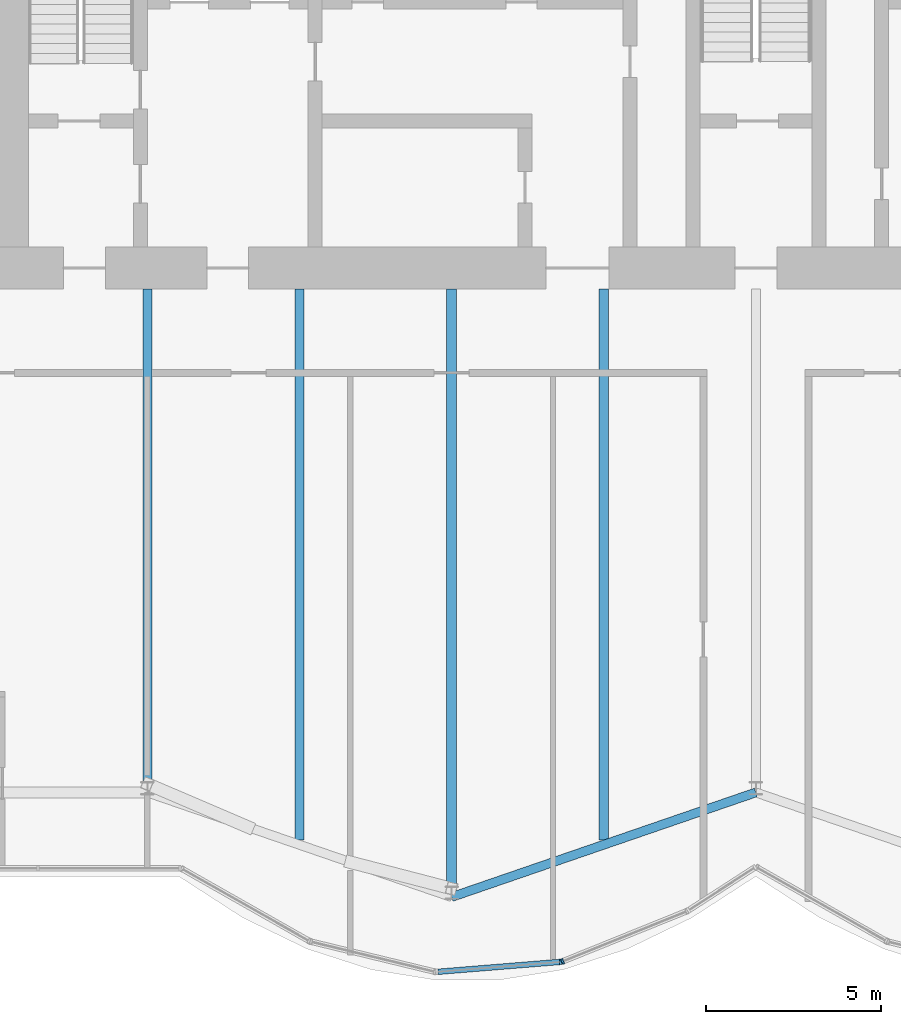
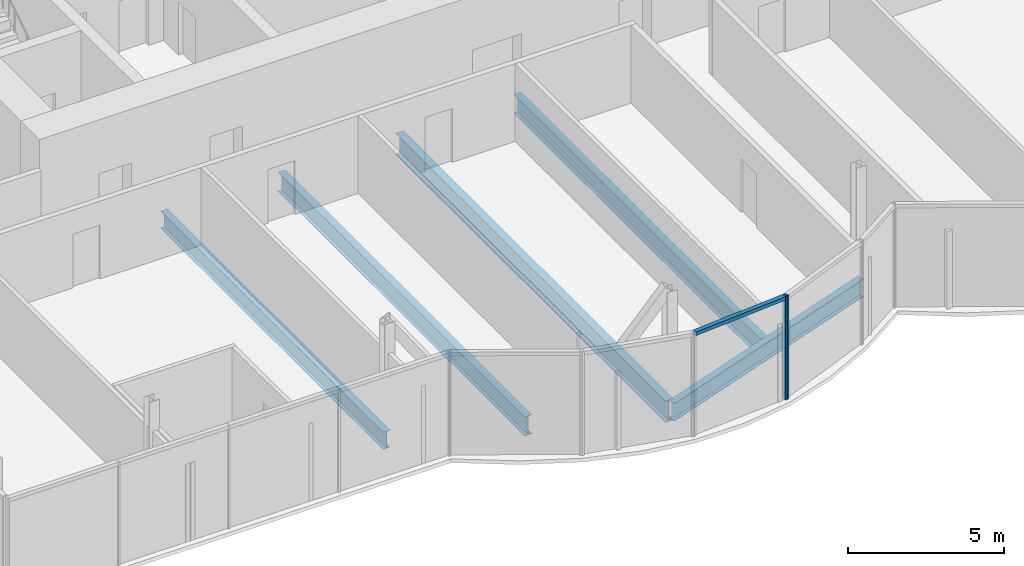
# One storey, part 6 of 20: 5 beams, 3 members, 1 element without a shape of its own.
"""IFC4 building model written with IfcOpenShell, lengths in metres."""

from ifc_helpers import new_model, si_unit, direction, frame, origin, origin_2d, place, context, subcontext, project, spatial, rectangle, i_section, extrude, material, material_profile, profile_set, type_object, element, aggregate, save


model = new_model("IFC4")

# Units and contexts
model_context = context("Model", 3, precision=1e-05, world=origin(), true_north=direction((0.0, 1.0)))
body_context = subcontext(model_context, "Body", "Model", "MODEL_VIEW")
ifc_project = project(units=[si_unit("LENGTHUNIT", "METRE"), si_unit("AREAUNIT", "SQUARE_METRE"), si_unit("VOLUMEUNIT", "CUBIC_METRE"), si_unit("PLANEANGLEUNIT", "RADIAN"), si_unit("MASSUNIT", "GRAM", prefix="KILO")], contexts=[model_context])

# Site, building, storey
site_placement = place(None, origin())
site = spatial("IfcSite", under=ifc_project, at=site_placement, CompositionType="ELEMENT")
building_placement = place(site_placement, origin())
building = spatial("IfcBuilding", under=site, at=building_placement, Name="Bicima Exchange Tower", CompositionType="ELEMENT")
storey_placement = place(building_placement, frame((0.0, 0.0, 249.800048828125)))
storey = spatial("IfcBuildingStorey", under=building, at=storey_placement, Name="L56", CompositionType="ELEMENT", Elevation=249.800048828125)

# Beams
ifc_material_1 = material(Name="Steel ASTM A992 Gr 50", Category="steel")
ifc_material_profile_1 = material_profile(ifc_material_1, i_section(OverallWidth=0.25390625, OverallDepth=0.67822265625, WebThickness=0.01171875, FlangeThickness=0.016357421875, at=origin_2d()))
ifc_profile_set_1 = profile_set([ifc_material_profile_1], Name="Steel ASTM A992 Gr 50")
beam_type_1 = type_object("IfcBeamType", Name="Floor beam W27x84", PredefinedType="JOIST", material=ifc_profile_set_1)
beam_1_placement = place(storey_placement, frame((-17.39990234375, -13.0, -0.4892578125), z_axis=(0.0, -1.0, 0.0), x_axis=(1.0, 0.0, 0.0)))
element("IfcBeam", 1, at=beam_1_placement, inside=storey, type_object=beam_type_1, Name="Floor beam", PredefinedType="JOIST", context=body_context, shape_type="SweptSolid", body=[
    extrude(i_section(OverallWidth=0.25390625, OverallDepth=0.67822265625, WebThickness=0.01171875, FlangeThickness=0.016357421875, at=origin_2d()), origin(), (0.0, 0.0, 1.0), 14.2373046875),
])
ifc_material_profile_2 = material_profile(ifc_material_1, i_section(OverallWidth=0.2666015625, OverallDepth=0.75439453125, WebThickness=0.01318359375, FlangeThickness=0.01708984375, at=origin_2d()))
ifc_profile_set_2 = profile_set([ifc_material_profile_2], Name="Steel ASTM A992 Gr 50")
beam_type_2 = type_object("IfcBeamType", Name="Floor beam W30x99", PredefinedType="JOIST", material=ifc_profile_set_2)
for number, where, z_axis, x_axis, name in (
    (2, (-13.050048828125, -13.0, -0.52734375), (0.0, -1.0, 0.0), (1.0, 0.0, 0.0), "Floor beam"),
    (3, (-4.35009765625, -13.0, -0.52734375), (0.0, -1.0, 0.0), (1.0, 0.0, 0.0), "Floor beam"),
):
    element("IfcBeam", number, at=place(storey_placement, frame(where, z_axis=z_axis, x_axis=x_axis)), inside=storey, type_object=beam_type_2, Name=name, PredefinedType="JOIST", context=body_context, shape_type="SweptSolid", body=[
        extrude(i_section(OverallWidth=0.2666015625, OverallDepth=0.75439453125, WebThickness=0.01318359375, FlangeThickness=0.01708984375, at=origin_2d()), origin(), (0.0, 0.0, 1.0), 15.760009765625),
    ])
ifc_material_profile_3 = material_profile(ifc_material_1, i_section(OverallWidth=0.2919921875, OverallDepth=0.835693359375, WebThickness=0.013916015625, FlangeThickness=0.018798828125, at=origin_2d()))
ifc_profile_set_3 = profile_set([ifc_material_profile_3], Name="Steel ASTM A992 Gr 50")
beam_type_3 = type_object("IfcBeamType", Name="Floor beam W33x118", PredefinedType="JOIST", material=ifc_profile_set_3)
beam_2_placement = place(storey_placement, frame((-8.699951171875, -13.0, -0.56787109375), z_axis=(0.0, -1.0, 0.0), x_axis=(1.0, 0.0, 0.0)))
element("IfcBeam", 4, at=beam_2_placement, inside=storey, type_object=beam_type_3, Name="Floor beam", PredefinedType="JOIST", context=body_context, shape_type="SweptSolid", body=[
    extrude(i_section(OverallWidth=0.2919921875, OverallDepth=0.835693359375, WebThickness=0.013916015625, FlangeThickness=0.018798828125, at=origin_2d()), origin(), (0.0, 0.0, 1.0), 17.25537109375),
])
ifc_material_profile_4 = material_profile(ifc_material_1, i_section(OverallWidth=0.256591796875, OverallDepth=0.693359375, WebThickness=0.014404296875, FlangeThickness=0.023681640625, at=origin_2d()))
ifc_profile_set_4 = profile_set([ifc_material_profile_4], Name="Steel ASTM A992 Gr 50")
beam_type_4 = type_object("IfcBeamType", Name="Front girder W27x114", PredefinedType="BEAM", material=ifc_profile_set_4)
beam_3_placement = place(storey_placement, frame((-8.699951171875, -30.39111328125, -0.496826171875), z_axis=(0.945666456746, 0.325138359143, 0.0), x_axis=(-0.325138359143, 0.945666456746, 0.0)))
element("IfcBeam", 5, at=beam_3_placement, inside=storey, type_object=beam_type_4, Name="Front girder", PredefinedType="BEAM", context=body_context, shape_type="SweptSolid", body=[
    extrude(i_section(OverallWidth=0.256591796875, OverallDepth=0.693359375, WebThickness=0.014404296875, FlangeThickness=0.023681640625, at=origin_2d()), origin(), (0.0, 0.0, 1.0), 9.19970703125),
])

# Curtain wall, members
ifc_material_2 = material(Name="Anodised bronze aluminium", Category="aluminium")
curtain_wall_type = type_object("IfcCurtainWallType", Name="Front glass wall", PredefinedType="NOTDEFINED", material=ifc_material_2)
curtain_wall_placement = place(storey_placement, origin())
curtain_wall = element("IfcCurtainWall", 6, at=curtain_wall_placement, inside=storey, type_object=curtain_wall_type, Name="Front glass wall L56 run 6", PredefinedType="NOTDEFINED")
ifc_material_profile_5 = material_profile(ifc_material_2, rectangle(XDim=0.159912109375, YDim=0.06005859375, at=origin_2d()))
ifc_profile_set_5 = profile_set([ifc_material_profile_5], Name="Anodised bronze aluminium")
member_type_1 = type_object("IfcMemberType", Name="Front glass wall mullion 60 x 160", PredefinedType="MULLION", material=ifc_profile_set_5)
member_1_placement = place(storey_placement, frame((-5.583984375, -32.244873046875, 0.0), z_axis=(0.0, 0.0, 1.0), x_axis=(-0.080588612633, 0.99674744821, 0.0)))
member_1 = element("IfcMember", 7, at=member_1_placement, type_object=member_type_1, Name="Front glass wall mullion 2", PredefinedType="MULLION", context=body_context, shape_type="SweptSolid", body=[
    extrude(rectangle(XDim=0.159912109375, YDim=0.06005859375, at=origin_2d()), origin(), (0.0, 0.0, 1.0), 4.050048828125),
])
member_2_placement = place(storey_placement, frame((-5.526123046875, -32.231201171875, 0.0), z_axis=(0.0, 0.0, 1.0), x_axis=(-0.374705304, 0.92714396679, 0.0)))
member_2 = element("IfcMember", 8, at=member_2_placement, type_object=member_type_1, Name="Front glass wall mullion 1", PredefinedType="MULLION", context=body_context, shape_type="SweptSolid", body=[
    extrude(rectangle(XDim=0.159912109375, YDim=0.06005859375, at=origin_2d()), origin(), (0.0, 0.0, 1.0), 4.050048828125),
])
ifc_material_profile_6 = material_profile(ifc_material_2, rectangle(XDim=0.159912109375, YDim=0.139892578125, at=origin_2d()))
ifc_profile_set_6 = profile_set([ifc_material_profile_6], Name="Anodised bronze aluminium")
member_type_2 = type_object("IfcMemberType", Name="Front glass wall transom 140 x 160", PredefinedType="USERDEFINED", material=ifc_profile_set_6)
member_3_placement = place(storey_placement, frame((-9.08837890625, -32.5283203125, 3.97998046875), z_axis=(0.9967456465, 0.080610893699, 0.0), x_axis=(-0.080610893699, 0.9967456465, 0.0)))
member_3 = element("IfcMember", 9, at=member_3_placement, type_object=member_type_2, Name="Front glass wall transom 1.1", ObjectType="TRANSOM", PredefinedType="USERDEFINED", context=body_context, shape_type="SweptSolid", body=[
    extrude(rectangle(XDim=0.159912109375, YDim=0.139892578125, at=origin_2d()), origin(), (0.0, 0.0, 1.0), 3.48583984375),
])
aggregate(curtain_wall, [member_1, member_3, member_2])

save(model, "model.ifc")
